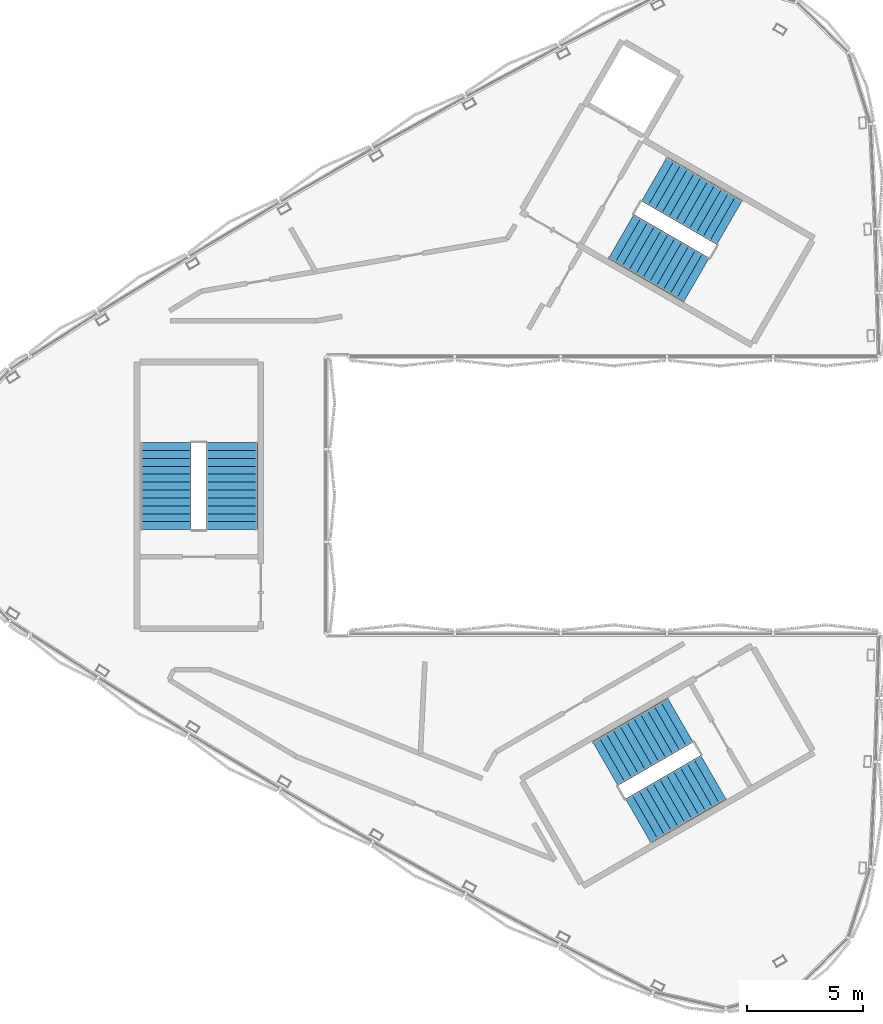
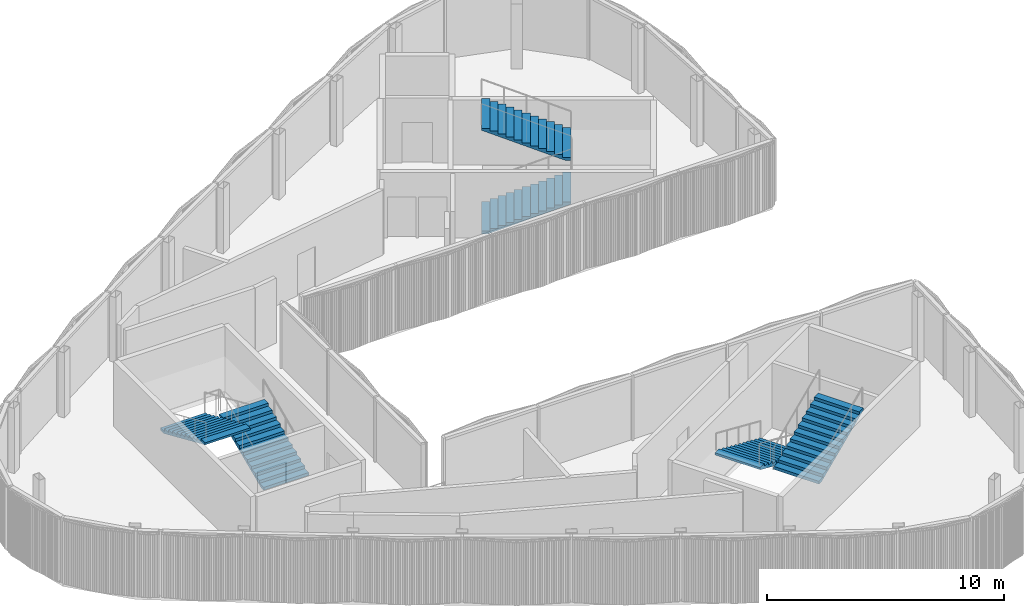
# One storey, part 7 of 16: 6 stair flights, 3 elements without a shape of their own.
"""IFC4 building model written with IfcOpenShell, lengths in metres."""

from ifc_helpers import new_model, si_unit, direction, frame, origin, place, context, subcontext, project, spatial, polyline, outline, extrude, material, type_object, element, aggregate, save


model = new_model("IFC4")

# Units and contexts
model_context = context("Model", 3, precision=1e-05, world=origin(), true_north=direction((0.0, 1.0)))
body_context = subcontext(model_context, "Body", "Model", "MODEL_VIEW")
ifc_project = project(units=[si_unit("LENGTHUNIT", "METRE"), si_unit("AREAUNIT", "SQUARE_METRE"), si_unit("VOLUMEUNIT", "CUBIC_METRE"), si_unit("PLANEANGLEUNIT", "RADIAN"), si_unit("MASSUNIT", "GRAM", prefix="KILO")], contexts=[model_context])

# Site, building, storey
site_placement = place(None, origin())
site = spatial("IfcSite", under=ifc_project, at=site_placement, CompositionType="ELEMENT")
building_placement = place(site_placement, origin())
building = spatial("IfcBuilding", under=site, at=building_placement, Name="Tamra Quay Hotel Tower", CompositionType="ELEMENT")
storey_placement = place(building_placement, frame((0.0, 0.0, 324.199951171875)))
storey = spatial("IfcBuildingStorey", under=building, at=storey_placement, Name="Roof crown 2", CompositionType="ELEMENT", Elevation=324.199951171875)

# Stair, stair flights
ifc_material_1 = material(Name="Exit stair 2200 24 risers 150.0 going 342")
stair_type = type_object("IfcStairType", Name="Exit stair 2200 24 risers 150.0 going 342", PredefinedType="HALF_TURN_STAIR", material=ifc_material_1)
stair_1_placement = place(storey_placement, origin())
stair_1 = element("IfcStair", 1, at=stair_1_placement, inside=storey, type_object=stair_type, Name="Roof crown 2 Exit stair ST3", PredefinedType="HALF_TURN_STAIR")
ifc_material_2 = material(Name="Exit stair flight 2200 12 risers 150.0")
stair_flight_type = type_object("IfcStairFlightType", Name="Exit stair flight 2200 12 risers 150.0", PredefinedType="STRAIGHT", material=ifc_material_2)
stair_flight_1_placement = place(storey_placement, frame((-12.082275390625, -1.47998046875, 0.0), z_axis=(0.0, 0.0, 1.0), x_axis=(0.0, 1.0, 0.0)))
stair_flight_1 = element("IfcStairFlight", 2, at=stair_flight_1_placement, type_object=stair_flight_type, Name="ST3 flight 1", NumberOfRisers=12, NumberOfTreads=11, PredefinedType="STRAIGHT", RiserHeight=0.15, TreadLength=0.342, context=body_context, shape_type="SweptSolid", body=[
    extrude(outline(polyline([(0.0, 0.0), (0.0, 0.14990234375), (0.342041015625, 0.14990234375), (0.342041015625, 0.300048828125), (0.68408203125, 0.300048828125), (0.68408203125, 0.449951171875), (1.02587890625, 0.449951171875), (1.02587890625, 0.60009765625), (1.367919921875, 0.60009765625), (1.367919921875, 0.75), (1.7099609375, 0.75), (1.7099609375, 0.89990234375), (2.052001953125, 0.89990234375), (2.052001953125, 1.050048828125), (2.39404296875, 1.050048828125), (2.39404296875, 1.199951171875), (2.736083984375, 1.199951171875), (2.736083984375, 1.35009765625), (3.077880859375, 1.35009765625), (3.077880859375, 1.5), (3.419921875, 1.5), (3.419921875, 1.64990234375), (3.761962890625, 1.64990234375), (3.761962890625, 1.800048828125), (3.761962890625, 1.540771484375), (0.249267578125, 0.0), (0.0, 0.0)])), frame((0.0, 1.10009765625, 0.0), z_axis=(0.0, -1.0, 0.0), x_axis=(1.0, 0.0, 0.0)), (0.0, 0.0, 1.0), 2.199951171875),
])
stair_flight_2_placement = place(storey_placement, frame((-14.94140625, 2.281982421875, 1.800048828125), z_axis=(0.0, 0.0, 1.0), x_axis=(0.0, -1.0, 0.0)))
stair_flight_2 = element("IfcStairFlight", 3, at=stair_flight_2_placement, type_object=stair_flight_type, Name="ST3 flight 2", NumberOfRisers=12, NumberOfTreads=11, PredefinedType="STRAIGHT", RiserHeight=0.15, TreadLength=0.342, context=body_context, shape_type="SweptSolid", body=[
    extrude(outline(polyline([(0.0, 0.0), (0.0, 0.14990234375), (0.342041015625, 0.14990234375), (0.342041015625, 0.300048828125), (0.68408203125, 0.300048828125), (0.68408203125, 0.449951171875), (1.02587890625, 0.449951171875), (1.02587890625, 0.60009765625), (1.367919921875, 0.60009765625), (1.367919921875, 0.75), (1.7099609375, 0.75), (1.7099609375, 0.89990234375), (2.052001953125, 0.89990234375), (2.052001953125, 1.050048828125), (2.39404296875, 1.050048828125), (2.39404296875, 1.199951171875), (2.736083984375, 1.199951171875), (2.736083984375, 1.35009765625), (3.077880859375, 1.35009765625), (3.077880859375, 1.5), (3.419921875, 1.5), (3.419921875, 1.64990234375), (3.761962890625, 1.64990234375), (3.761962890625, 1.800048828125), (3.761962890625, 1.540771484375), (0.249267578125, 0.0), (0.0, 0.0)])), frame((0.0, 1.10009765625, 0.0), z_axis=(0.0, -1.0, 0.0), x_axis=(1.0, 0.0, 0.0)), (0.0, 0.0, 1.0), 2.199951171875),
])
aggregate(stair_1, [stair_flight_1, stair_flight_2])

stair_2_placement = place(storey_placement, origin())
stair_2 = element("IfcStair", 4, at=stair_2_placement, inside=storey, type_object=stair_type, Name="Roof crown 2 Exit stair ST1", PredefinedType="HALF_TURN_STAIR")
stair_flight_3_placement = place(storey_placement, frame((4.75927734375, 11.20361328125, 0.0), z_axis=(0.0, 0.0, 1.0), x_axis=(0.866025403784, -0.5, 0.0)))
stair_flight_3 = element("IfcStairFlight", 5, at=stair_flight_3_placement, type_object=stair_flight_type, Name="ST1 flight 1", NumberOfRisers=12, NumberOfTreads=11, PredefinedType="STRAIGHT", RiserHeight=0.15, TreadLength=0.342, context=body_context, shape_type="SweptSolid", body=[
    extrude(outline(polyline([(0.0, 0.0), (0.0, 0.14990234375), (0.342041015625, 0.14990234375), (0.342041015625, 0.300048828125), (0.68408203125, 0.300048828125), (0.68408203125, 0.449951171875), (1.02587890625, 0.449951171875), (1.02587890625, 0.60009765625), (1.367919921875, 0.60009765625), (1.367919921875, 0.75), (1.7099609375, 0.75), (1.7099609375, 0.89990234375), (2.052001953125, 0.89990234375), (2.052001953125, 1.050048828125), (2.39404296875, 1.050048828125), (2.39404296875, 1.199951171875), (2.736083984375, 1.199951171875), (2.736083984375, 1.35009765625), (3.077880859375, 1.35009765625), (3.077880859375, 1.5), (3.419921875, 1.5), (3.419921875, 1.64990234375), (3.761962890625, 1.64990234375), (3.761962890625, 1.800048828125), (3.761962890625, 1.540771484375), (0.249267578125, 0.0), (0.0, 0.0)])), frame((0.0, 1.10009765625, 0.0), z_axis=(0.0, -1.0, 0.0), x_axis=(1.0, 0.0, 0.0)), (0.0, 0.0, 1.0), 2.199951171875),
])
stair_flight_4_placement = place(storey_placement, frame((9.44677734375, 11.798583984375, 1.800048828125), z_axis=(0.0, 0.0, 1.0), x_axis=(-0.866025403784, 0.5, 0.0)))
stair_flight_4 = element("IfcStairFlight", 6, at=stair_flight_4_placement, type_object=stair_flight_type, Name="ST1 flight 2", NumberOfRisers=12, NumberOfTreads=11, PredefinedType="STRAIGHT", RiserHeight=0.15, TreadLength=0.342, context=body_context, shape_type="SweptSolid", body=[
    extrude(outline(polyline([(0.0, 0.0), (0.0, 0.14990234375), (0.342041015625, 0.14990234375), (0.342041015625, 0.300048828125), (0.68408203125, 0.300048828125), (0.68408203125, 0.449951171875), (1.02587890625, 0.449951171875), (1.02587890625, 0.60009765625), (1.367919921875, 0.60009765625), (1.367919921875, 0.75), (1.7099609375, 0.75), (1.7099609375, 0.89990234375), (2.052001953125, 0.89990234375), (2.052001953125, 1.050048828125), (2.39404296875, 1.050048828125), (2.39404296875, 1.199951171875), (2.736083984375, 1.199951171875), (2.736083984375, 1.35009765625), (3.077880859375, 1.35009765625), (3.077880859375, 1.5), (3.419921875, 1.5), (3.419921875, 1.64990234375), (3.761962890625, 1.64990234375), (3.761962890625, 1.800048828125), (3.761962890625, 1.540771484375), (0.249267578125, 0.0), (0.0, 0.0)])), frame((0.0, 1.10009765625, 0.0), z_axis=(0.0, -1.0, 0.0), x_axis=(1.0, 0.0, 0.0)), (0.0, 0.0, 1.0), 2.199951171875),
])
aggregate(stair_2, [stair_flight_3, stair_flight_4])

stair_3_placement = place(storey_placement, origin())
stair_3 = element("IfcStair", 7, at=stair_3_placement, inside=storey, type_object=stair_type, Name="Roof crown 2 Exit stair ST2", PredefinedType="HALF_TURN_STAIR")
stair_flight_5_placement = place(storey_placement, frame((7.322998046875, -9.7236328125, 0.0), z_axis=(0.0, 0.0, 1.0), x_axis=(-0.866025403784, -0.5, 0.0)))
stair_flight_5 = element("IfcStairFlight", 8, at=stair_flight_5_placement, type_object=stair_flight_type, Name="ST2 flight 1", NumberOfRisers=12, NumberOfTreads=11, PredefinedType="STRAIGHT", RiserHeight=0.15, TreadLength=0.342, context=body_context, shape_type="SweptSolid", body=[
    extrude(outline(polyline([(0.0, 0.0), (0.0, 0.14990234375), (0.342041015625, 0.14990234375), (0.342041015625, 0.300048828125), (0.68408203125, 0.300048828125), (0.68408203125, 0.449951171875), (1.02587890625, 0.449951171875), (1.02587890625, 0.60009765625), (1.367919921875, 0.60009765625), (1.367919921875, 0.75), (1.7099609375, 0.75), (1.7099609375, 0.89990234375), (2.052001953125, 0.89990234375), (2.052001953125, 1.050048828125), (2.39404296875, 1.050048828125), (2.39404296875, 1.199951171875), (2.736083984375, 1.199951171875), (2.736083984375, 1.35009765625), (3.077880859375, 1.35009765625), (3.077880859375, 1.5), (3.419921875, 1.5), (3.419921875, 1.64990234375), (3.761962890625, 1.64990234375), (3.761962890625, 1.800048828125), (3.761962890625, 1.540771484375), (0.249267578125, 0.0), (0.0, 0.0)])), frame((0.0, 1.10009765625, 0.0), z_axis=(0.0, -1.0, 0.0), x_axis=(1.0, 0.0, 0.0)), (0.0, 0.0, 1.0), 2.199951171875),
])
stair_flight_6_placement = place(storey_placement, frame((5.494384765625, -14.08056640625, 1.800048828125), z_axis=(0.0, 0.0, 1.0), x_axis=(0.866025403784, 0.5, 0.0)))
stair_flight_6 = element("IfcStairFlight", 9, at=stair_flight_6_placement, type_object=stair_flight_type, Name="ST2 flight 2", NumberOfRisers=12, NumberOfTreads=11, PredefinedType="STRAIGHT", RiserHeight=0.15, TreadLength=0.342, context=body_context, shape_type="SweptSolid", body=[
    extrude(outline(polyline([(0.0, 0.0), (0.0, 0.14990234375), (0.342041015625, 0.14990234375), (0.342041015625, 0.300048828125), (0.68408203125, 0.300048828125), (0.68408203125, 0.449951171875), (1.02587890625, 0.449951171875), (1.02587890625, 0.60009765625), (1.367919921875, 0.60009765625), (1.367919921875, 0.75), (1.7099609375, 0.75), (1.7099609375, 0.89990234375), (2.052001953125, 0.89990234375), (2.052001953125, 1.050048828125), (2.39404296875, 1.050048828125), (2.39404296875, 1.199951171875), (2.736083984375, 1.199951171875), (2.736083984375, 1.35009765625), (3.077880859375, 1.35009765625), (3.077880859375, 1.5), (3.419921875, 1.5), (3.419921875, 1.64990234375), (3.761962890625, 1.64990234375), (3.761962890625, 1.800048828125), (3.761962890625, 1.540771484375), (0.249267578125, 0.0), (0.0, 0.0)])), frame((0.0, 1.10009765625, 0.0), z_axis=(0.0, -1.0, 0.0), x_axis=(1.0, 0.0, 0.0)), (0.0, 0.0, 1.0), 2.199951171875),
])
aggregate(stair_3, [stair_flight_5, stair_flight_6])

save(model, "model.ifc")
